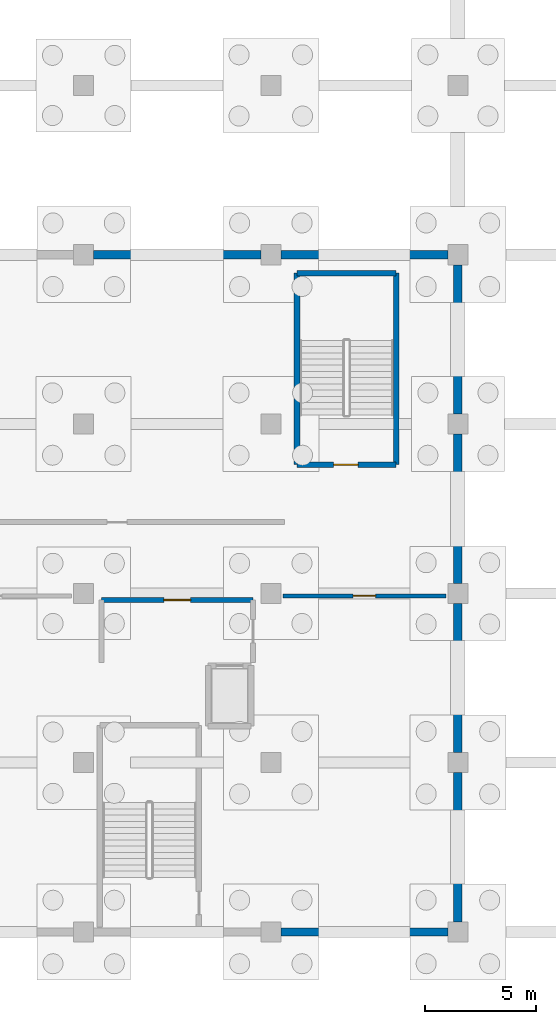
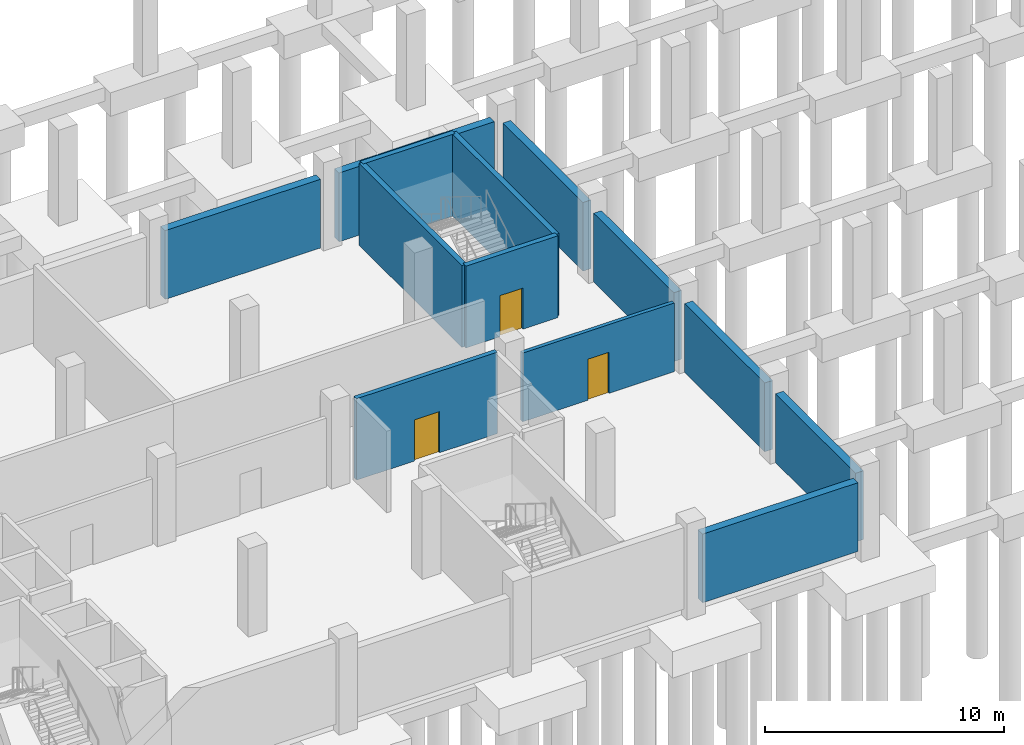
# One storey, part 15 of 22: 13 walls, 3 doors, 3 openings.
"""IFC4 building model written with IfcOpenShell, lengths in metres."""

import ifcopenshell
import ifcopenshell.guid

model = None  # the IFC model being written
_history = None  # IfcOwnerHistory: only IFC2X3 demands one
_inside = {}  # id of a spatial element -> (the spatial element, [elements in it])
_under = {}  # id of a project, library or spatial element -> (it, [spatial elements below it])
_declared = {}  # id of a project -> (the project, [libraries it declares])
_typed = {}  # id of a type object -> (the type object, [elements of that type])
_made_of = {}  # id of a material, layer set ... -> (it, [elements and type objects made of it])


def new_model(schema):
    """Start an empty IFC model of exactly this schema.

    Asked for "IFC4X3", IfcOpenShell would pick the latest addendum, in which some entities
    have other attributes; the version numbers below select the first issue.
    IFC2X3 requires an IfcOwnerHistory on every rooted entity: one is made here for all.
    """
    global model, _history
    if schema == "IFC4X3":
        model = ifcopenshell.file(schema_version=(4, 3, 0, 0))
    else:
        model = ifcopenshell.file(schema=schema)
    _inside.clear()
    _under.clear()
    _declared.clear()
    _typed.clear()
    _made_of.clear()
    _history = None
    if model.schema == "IFC2X3":
        org = make("IfcOrganization", Name="unknown")
        user = make(
            "IfcPersonAndOrganization",
            ThePerson=make("IfcPerson", FamilyName="unknown"),
            TheOrganization=org,
        )
        app = make(
            "IfcApplication",
            ApplicationDeveloper=org,
            Version="unknown",
            ApplicationFullName="unknown",
            ApplicationIdentifier="unknown",
        )
        _history = make(
            "IfcOwnerHistory",
            OwningUser=user,
            OwningApplication=app,
            ChangeAction="ADDED",
            CreationDate=0,
        )
    return model


def make(cls, **values):
    """One entity of the class cls with the attributes given. An attribute that is None is left unset."""
    return model.create_entity(
        cls, **{name: value for name, value in values.items() if value is not None}
    )


def rooted(cls, **values):
    """An entity with a GlobalId (a new one), such as an element, a storey or a relation."""
    return make(cls, GlobalId=ifcopenshell.guid.new(), OwnerHistory=_history, **values)


def si_unit(unit_type, name, prefix=None):
    """IfcSIUnit, for example si_unit("LENGTHUNIT", "METRE", prefix="MILLI")."""
    return make("IfcSIUnit", UnitType=unit_type, Prefix=prefix, Name=name)


def assignment(units):
    """IfcUnitAssignment: the units of a project."""
    return None if units is None else make("IfcUnitAssignment", Units=units)


def point(xyz):
    """IfcCartesianPoint."""
    return None if xyz is None else make("IfcCartesianPoint", Coordinates=xyz)


def direction(xyz):
    """IfcDirection."""
    return None if xyz is None else make("IfcDirection", DirectionRatios=xyz)


def frame(location, z_axis=None, x_axis=None):
    """IfcAxis2Placement3D, a coordinate frame: its origin and axes. An axis left out is left unset."""
    return make(
        "IfcAxis2Placement3D",
        Location=point(location),
        Axis=direction(z_axis),
        RefDirection=direction(x_axis),
    )


def frame_2d(location, x_axis=None):
    """IfcAxis2Placement2D, a coordinate frame in the plane: its origin and x axis."""
    return make(
        "IfcAxis2Placement2D", Location=point(location), RefDirection=direction(x_axis)
    )


def origin():
    """The frame at (0, 0, 0) with its axes left unset."""
    return frame((0.0, 0.0, 0.0))


def place(relative_to, where):
    """IfcLocalPlacement: puts the frame where relative to a parent placement (None: the world)."""
    return make(
        "IfcLocalPlacement", PlacementRelTo=relative_to, RelativePlacement=where
    )


def context(
    kind, dimensions, precision=None, world=None, true_north=None, identifier=None
):
    """IfcGeometricRepresentationContext, for example the 3D "Model" context."""
    return make(
        "IfcGeometricRepresentationContext",
        ContextIdentifier=identifier,
        ContextType=kind,
        CoordinateSpaceDimension=dimensions,
        Precision=precision,
        WorldCoordinateSystem=world,
        TrueNorth=true_north,
    )


def subcontext(parent, identifier, kind, view, scale=None):
    """IfcGeometricRepresentationSubContext, for example "Body" below "Model"."""
    return make(
        "IfcGeometricRepresentationSubContext",
        ContextIdentifier=identifier,
        ContextType=kind,
        ParentContext=parent,
        TargetScale=scale,
        TargetView=view,
    )


def project(units=None, contexts=None):
    """IfcProject with its units and contexts."""
    return rooted(
        "IfcProject",
        Name="project",
        RepresentationContexts=contexts,
        UnitsInContext=assignment(units),
    )


def spatial(cls, under=None, at=None, **own):
    """A site, building, storey or space (cls), placed at a placement, below another one or the project."""
    s = rooted(cls, ObjectPlacement=at, **own)
    if under is not None:
        _under.setdefault(under.id(), (under, []))[1].append(s)
    return s


def profile(cls, at=None, kind="AREA", **sizes):
    """A parametric profile (cls). Its sizes go by their IFC names, for example OverallWidth=200.0."""
    return make(cls, ProfileType=kind, Position=at, **sizes)


def rectangle(**sizes):
    """IfcRectangleProfileDef."""
    return profile("IfcRectangleProfileDef", **sizes)


def extrude(swept, where, along, depth):
    """IfcExtrudedAreaSolid: the profile swept, set in the frame where, extruded along a direction by depth."""
    return make(
        "IfcExtrudedAreaSolid",
        SweptArea=swept,
        Position=where,
        ExtrudedDirection=direction(along),
        Depth=depth,
    )


def shape(context_of_items, identifier, shape_type, items):
    """IfcShapeRepresentation: the items that make up one representation, for example the "Body"."""
    return make(
        "IfcShapeRepresentation",
        ContextOfItems=context_of_items,
        RepresentationIdentifier=identifier,
        RepresentationType=shape_type,
        Items=items,
    )


def material(Name=None, Category=None):
    """IfcMaterial."""
    return make("IfcMaterial", Name=Name, Category=Category)


def layer(
    of_material, thickness, ventilated=None, Name=None, Category=None, Priority=None
):
    """IfcMaterialLayer: one layer of a wall or slab, of a material (None: an air gap)."""
    return make(
        "IfcMaterialLayer",
        Material=of_material,
        LayerThickness=thickness,
        IsVentilated=ventilated,
        Name=Name,
        Category=Category,
        Priority=Priority,
    )


def layer_set(layers, Name=None):
    """IfcMaterialLayerSet."""
    return make("IfcMaterialLayerSet", MaterialLayers=layers, LayerSetName=Name)


def made_of(thing, what):
    """Note that an element or type object is made of a material, layer set ...; save() writes the relation."""
    if what is not None:
        _made_of.setdefault(what.id(), (what, []))[1].append(thing)
    return thing


def type_object(cls, material=None, **own):
    """A type object (cls), such as IfcWallType, which elements share."""
    return made_of(rooted(cls, **own), material)


def element(
    cls,
    number,
    at=None,
    inside=None,
    cuts=None,
    type_object=None,
    material=None,
    context=None,
    identifier="Body",
    shape_type=None,
    held_by="IfcProductDefinitionShape",
    body=None,
    shapes=None,
    **own,
):
    """One element of the class cls, such as IfcWall. Its Tag is "e" and its number.

    at: its placement. inside: the storey or other place that contains it. cuts: it is an
    opening in that element (IfcRelVoidsElement). A single representation is given by context,
    identifier, shape_type and body (its items); several are given by shapes. held_by: the class
    of the entity that holds the representations. save() writes the other relations.
    """
    e = rooted(cls, Tag="e%d" % number, ObjectPlacement=at, **own)
    if body is not None:
        shapes = [shape(context, identifier, shape_type, body)]
    if shapes is not None:
        e.Representation = make(held_by, Representations=shapes)
    if inside is not None:
        _inside.setdefault(inside.id(), (inside, []))[1].append(e)
    if cuts is not None:
        rooted(
            "IfcRelVoidsElement", RelatingBuildingElement=cuts, RelatedOpeningElement=e
        )
    if type_object is not None:
        _typed.setdefault(type_object.id(), (type_object, []))[1].append(e)
    return made_of(e, material)


def fill(opening, filler):
    """IfcRelFillsElement: the door or window that sits in an opening."""
    return rooted(
        "IfcRelFillsElement",
        RelatingOpeningElement=opening,
        RelatedBuildingElement=filler,
    )


def aggregate(whole, parts):
    """IfcRelAggregates: a whole, such as a stair, and the parts it consists of."""
    return rooted("IfcRelAggregates", RelatingObject=whole, RelatedObjects=parts)


def save(model, path):
    """Write the relations noted so far, then the file.

    IfcRelAggregates (storeys below a building ...), IfcRelContainedInSpatialStructure (elements
    in a storey), IfcRelDefinesByType, IfcRelAssociatesMaterial and IfcRelDeclares: one each for
    every whole, place, type object, material and project.
    """
    for whole, parts in _under.values():
        aggregate(whole, parts)
    for where, things in _inside.values():
        rooted(
            "IfcRelContainedInSpatialStructure",
            RelatedElements=things,
            RelatingStructure=where,
        )
    for kind, things in _typed.values():
        rooted("IfcRelDefinesByType", RelatedObjects=things, RelatingType=kind)
    for what, things in _made_of.values():
        rooted("IfcRelAssociatesMaterial", RelatedObjects=things, RelatingMaterial=what)
    for by, libraries in _declared.values():
        rooted("IfcRelDeclares", RelatingContext=by, RelatedDefinitions=libraries)
    model.write(path)


model = new_model("IFC4")

# Units and contexts
model_context = context("Model", 3, precision=1e-05, world=origin(), true_north=direction((0.0, 1.0)))
body_context = subcontext(model_context, "Body", "Model", "MODEL_VIEW")
ifc_project = project(units=[si_unit("LENGTHUNIT", "METRE"), si_unit("AREAUNIT", "SQUARE_METRE"), si_unit("VOLUMEUNIT", "CUBIC_METRE"), si_unit("PLANEANGLEUNIT", "RADIAN"), si_unit("MASSUNIT", "GRAM", prefix="KILO")], contexts=[model_context])

# Site, building, storey
site_placement = place(None, origin())
site = spatial("IfcSite", under=ifc_project, at=site_placement, CompositionType="ELEMENT")
building_placement = place(site_placement, origin())
building = spatial("IfcBuilding", under=site, at=building_placement, Name="Zuvorla Pavilion Media Centre", CompositionType="ELEMENT")
storey_placement = place(building_placement, frame((0.0, 0.0, -4.5)))
storey = spatial("IfcBuildingStorey", under=building, at=storey_placement, Name="B01", CompositionType="ELEMENT", Elevation=-4.5)

# Wall, opening, door
ifc_material_1 = material(Name="Acoustic masonry blockwork C32/40", Category="masonry")
ifc_layer_1 = layer(ifc_material_1, 0.219970703125)
ifc_layer_set_1 = layer_set([ifc_layer_1], Name="Acoustic masonry blockwork C32/40")
wall_type_1 = type_object("IfcWallType", Name="WL-CMP-220", PredefinedType="SOLIDWALL", material=ifc_layer_set_1)
wall_1_placement = place(storey_placement, frame((92.800048828125, 20.89990234375, 0.0), z_axis=(0.0, 0.0, 1.0), x_axis=(1.0, 0.0, 0.0)))
wall_1 = element("IfcWall", 1, at=wall_1_placement, inside=storey, type_object=wall_type_1, Name="B01 solid wall IW22 160", PredefinedType="SOLIDWALL", context=body_context, shape_type="SweptSolid", body=[
    extrude(rectangle(XDim=6.800048828125, YDim=0.219970703125, at=frame_2d((3.39990234375, 0.0))), origin(), (0.0, 0.0, 1.0), 4.159912109375),
])
opening_1_placement = place(wall_1_placement, frame((2.800048828125, 0.0, 0.0)))
opening_1 = element("IfcOpeningElement", 2, at=opening_1_placement, cuts=wall_1, Name="Opening FD06", PredefinedType="OPENING", context=body_context, shape_type="SweptSolid", body=[
    extrude(rectangle(XDim=1.199951171875, YDim=2.10009765625, at=frame_2d((0.60009765625, 1.050048828125))), frame((0.0, 0.119873046875, 0.0), z_axis=(0.0, -1.0, 0.0), x_axis=(1.0, 0.0, 0.0)), (0.0, 0.0, 1.0), 0.239990234375),
])
ifc_material_2 = material(Name="Acoustic timber fire door leaf in steel frame", Category="steel")
door_type_1 = type_object("IfcDoorType", Name="DR-INT-FD06", OperationType="NOTDEFINED", PredefinedType="DOOR", material=ifc_material_2)
door_1_placement = place(opening_1_placement, origin())
door_1 = element("IfcDoor", 3, at=door_1_placement, inside=storey, type_object=door_type_1, Name="Firefighting lobby 2 door FD06 58", OperationType="SINGLE_SWING_LEFT", OverallHeight=2.10009765625, OverallWidth=1.199951171875, PredefinedType="DOOR", context=body_context, shape_type="SweptSolid", body=[
    extrude(rectangle(XDim=1.199951171875, YDim=2.10009765625, at=frame_2d((0.60009765625, 1.050048828125))), frame((0.0, 0.02490234375, 0.0), z_axis=(0.0, -1.0, 0.0), x_axis=(1.0, 0.0, 0.0)), (0.0, 0.0, 1.0), 0.050048828125),
])
fill(opening_1, door_1)

# Walls
ifc_material_3 = material(Name="Concrete C40/50", Category="concrete")
ifc_layer_2 = layer(ifc_material_3, 0.25)
ifc_layer_set_2 = layer_set([ifc_layer_2], Name="Concrete C40/50")
wall_type_2 = type_object("IfcWallType", Name="WL-COR-250", PredefinedType="SHEAR", material=ifc_layer_set_2)
for number, where, z_axis, x_axis, name in (
    (4, (101.574951171875, 26.97509765625, 0.0), (0.0, 0.0, 1.0), (0.0, 1.0, 0.0), "B01 shear wall CW25 301"),
    (5, (106.02490234375, 26.97509765625, 0.0), (0.0, 0.0, 1.0), (0.0, 1.0, 0.0), "B01 shear wall CW25 302"),
):
    element("IfcWall", number, at=place(storey_placement, frame(where, z_axis=z_axis, x_axis=x_axis)), inside=storey, type_object=wall_type_2, Name=name, PredefinedType="SHEAR", context=body_context, shape_type="SweptSolid", body=[
        extrude(rectangle(XDim=8.599853515625, YDim=0.25, at=frame_2d((4.2998046875, 0.0))), origin(), (0.0, 0.0, 1.0), 4.179931640625),
    ])
wall_2_placement = place(storey_placement, frame((101.574951171875, 35.574951171875, 0.0), z_axis=(0.0, 0.0, 1.0), x_axis=(1.0, 0.0, 0.0)))
element("IfcWall", 6, at=wall_2_placement, inside=storey, type_object=wall_type_2, Name="B01 shear wall CW25 303", PredefinedType="SHEAR", context=body_context, shape_type="SweptSolid", body=[
    extrude(rectangle(XDim=4.449951171875, YDim=0.25, at=frame_2d((2.22509765625, 0.0))), origin(), (0.0, 0.0, 1.0), 4.179931640625),
])

# Wall, opening, door
wall_3_placement = place(storey_placement, frame((101.574951171875, 26.97509765625, 0.0), z_axis=(0.0, 0.0, 1.0), x_axis=(1.0, 0.0, 0.0)))
wall_3 = element("IfcWall", 7, at=wall_3_placement, inside=storey, type_object=wall_type_2, Name="B01 shear wall CW25 304", PredefinedType="SHEAR", context=body_context, shape_type="SweptSolid", body=[
    extrude(rectangle(XDim=4.449951171875, YDim=0.25, at=frame_2d((2.22509765625, 0.0))), origin(), (0.0, 0.0, 1.0), 4.179931640625),
])
opening_2_placement = place(wall_3_placement, frame((1.64990234375, 0.0, 0.0)))
opening_2 = element("IfcOpeningElement", 8, at=opening_2_placement, cuts=wall_3, Name="Opening FD05", PredefinedType="OPENING", context=body_context, shape_type="SweptSolid", body=[
    extrude(rectangle(XDim=1.10009765625, YDim=2.10009765625, at=frame_2d((0.550048828125, 1.050048828125))), frame((0.0, 0.135009765625, 0.0), z_axis=(0.0, -1.0, 0.0), x_axis=(1.0, 0.0, 0.0)), (0.0, 0.0, 1.0), 0.27001953125),
])
door_type_2 = type_object("IfcDoorType", Name="DR-INT-FD05", OperationType="NOTDEFINED", PredefinedType="DOOR", material=ifc_material_2)
door_2_placement = place(opening_2_placement, frame((1.10009765625, 0.0, 0.0), z_axis=(0.0, 0.0, 1.0), x_axis=(-1.0, 0.0, 0.0)))
door_2 = element("IfcDoor", 9, at=door_2_placement, inside=storey, type_object=door_type_2, Name="Stair ST-04 fire door FD05 105", OperationType="SINGLE_SWING_RIGHT", OverallHeight=2.10009765625, OverallWidth=1.10009765625, PredefinedType="DOOR", context=body_context, shape_type="SweptSolid", body=[
    extrude(rectangle(XDim=1.10009765625, YDim=2.10009765625, at=frame_2d((0.550048828125, 1.050048828125))), frame((0.0, 0.02490234375, 0.0), z_axis=(0.0, -1.0, 0.0), x_axis=(1.0, 0.0, 0.0)), (0.0, 0.0, 1.0), 0.050048828125),
])
fill(opening_2, door_2)

# Walls
ifc_material_4 = material(Name="Dark charcoal terracotta concrete C40/50", Category="masonry")
ifc_layer_3 = layer(ifc_material_4, 0.3798828125)
ifc_layer_set_3 = layer_set([ifc_layer_3], Name="Dark charcoal terracotta concrete C40/50")
wall_type_3 = type_object("IfcWallType", Name="WL-EXT-380", PredefinedType="SOLIDWALL", material=ifc_layer_set_3)
wall_4_placement = place(storey_placement, frame((100.85009765625, 6.0, 0.0), z_axis=(0.0, 0.0, 1.0), x_axis=(1.0, 0.0, 0.0)))
element("IfcWall", 10, at=wall_4_placement, inside=storey, type_object=wall_type_3, Name="B01 exterior solid wall EW01 8", PredefinedType="SOLIDWALL", context=body_context, shape_type="SweptSolid", body=[
    extrude(rectangle(XDim=7.5, YDim=0.3798828125, at=frame_2d((3.75, 0.0))), origin(), (0.0, 0.0, 1.0), 3.51025390625),
])
for number, where, z_axis, x_axis, name in (
    (11, (108.800048828125, 6.449951171875, 0.0), (0.0, 0.0, 1.0), (0.0, 1.0, 0.0), "B01 exterior solid wall EW01 9"),
    (12, (108.800048828125, 14.050048828125, 0.0), (0.0, 0.0, 1.0), (0.0, 1.0, 0.0), "B01 exterior solid wall EW01 10"),
):
    element("IfcWall", number, at=place(storey_placement, frame(where, z_axis=z_axis, x_axis=x_axis)), inside=storey, type_object=wall_type_3, Name=name, PredefinedType="SOLIDWALL", context=body_context, shape_type="SweptSolid", body=[
        extrude(rectangle(XDim=6.699951171875, YDim=0.3798828125, at=frame_2d((3.35009765625, 0.0))), origin(), (0.0, 0.0, 1.0), 3.51025390625),
    ])
wall_5_placement = place(storey_placement, frame((108.800048828125, 21.64990234375, 0.0), z_axis=(0.0, 0.0, 1.0), x_axis=(0.0, 1.0, 0.0)))
element("IfcWall", 13, at=wall_5_placement, inside=storey, type_object=wall_type_3, Name="B01 exterior solid wall EW01 11", PredefinedType="SOLIDWALL", context=body_context, shape_type="SweptSolid", body=[
    extrude(rectangle(XDim=6.7001953125, YDim=0.3798828125, at=frame_2d((3.35009765625, 0.0))), origin(), (0.0, 0.0, 1.0), 3.51025390625),
])
wall_6_placement = place(storey_placement, frame((108.800048828125, 29.25, 0.0), z_axis=(0.0, 0.0, 1.0), x_axis=(0.0, 1.0, 0.0)))
element("IfcWall", 14, at=wall_6_placement, inside=storey, type_object=wall_type_3, Name="B01 exterior solid wall EW01 12", PredefinedType="SOLIDWALL", context=body_context, shape_type="SweptSolid", body=[
    extrude(rectangle(XDim=6.699951171875, YDim=0.3798828125, at=frame_2d((3.35009765625, 0.0))), origin(), (0.0, 0.0, 1.0), 3.51025390625),
])
for number, where, z_axis, x_axis, name in (
    (15, (108.35009765625, 36.39990234375, 0.0), (0.0, 0.0, 1.0), (-1.0, 0.0, 0.0), "B01 exterior solid wall EW01 13"),
    (16, (99.949951171875, 36.39990234375, 0.0), (0.0, 0.0, 1.0), (-1.0, 0.0, 0.0), "B01 exterior solid wall EW01 14"),
):
    element("IfcWall", number, at=place(storey_placement, frame(where, z_axis=z_axis, x_axis=x_axis)), inside=storey, type_object=wall_type_3, Name=name, PredefinedType="SOLIDWALL", context=body_context, shape_type="SweptSolid", body=[
        extrude(rectangle(XDim=7.5, YDim=0.3798828125, at=frame_2d((3.75, 0.0))), origin(), (0.0, 0.0, 1.0), 3.51025390625),
    ])

# Wall, opening, door
ifc_material_5 = material(Name="Double acoustic gypsum stud partition")
ifc_layer_4 = layer(ifc_material_5, 0.179931640625)
ifc_layer_set_4 = layer_set([ifc_layer_4], Name="Double acoustic gypsum stud partition")
wall_type_4 = type_object("IfcWallType", Name="WL-PRT-180", PredefinedType="PARTITIONING", material=ifc_layer_set_4)
wall_7_placement = place(storey_placement, frame((108.260009765625, 21.090087890625, 0.0), z_axis=(0.0, 0.0, 1.0), x_axis=(-1.0, 0.0, 0.0)))
wall_7 = element("IfcWall", 17, at=wall_7_placement, inside=storey, type_object=wall_type_4, Name="B01 partition PT18 371", PredefinedType="PARTITIONING", context=body_context, shape_type="SweptSolid", body=[
    extrude(rectangle(XDim=7.320068359375, YDim=0.179931640625, at=frame_2d((3.66015625, 0.0))), origin(), (0.0, 0.0, 1.0), 3.51025390625),
])
opening_3_placement = place(wall_7_placement, frame((3.159912109375, 0.0, 0.0)))
opening_3 = element("IfcOpeningElement", 18, at=opening_3_placement, cuts=wall_7, Name="Opening FD03", PredefinedType="OPENING", context=body_context, shape_type="SweptSolid", body=[
    extrude(rectangle(XDim=1.0, YDim=2.10009765625, at=frame_2d((0.5, 1.050048828125))), frame((0.0, 0.099853515625, 0.0), z_axis=(0.0, -1.0, 0.0), x_axis=(1.0, 0.0, 0.0)), (0.0, 0.0, 1.0), 0.199951171875),
])
door_type_3 = type_object("IfcDoorType", Name="DR-INT-FD03", OperationType="NOTDEFINED", PredefinedType="DOOR", material=ifc_material_2)
door_3_placement = place(opening_3_placement, origin())
door_3 = element("IfcDoor", 19, at=door_3_placement, inside=storey, type_object=door_type_3, Name="Interior door FD03 119", OperationType="SINGLE_SWING_LEFT", OverallHeight=2.10009765625, OverallWidth=1.0, PredefinedType="DOOR", context=body_context, shape_type="SweptSolid", body=[
    extrude(rectangle(XDim=1.0, YDim=2.10009765625, at=frame_2d((0.5, 1.050048828125))), frame((0.0, 0.02490234375, 0.0), z_axis=(0.0, -1.0, 0.0), x_axis=(1.0, 0.0, 0.0)), (0.0, 0.0, 1.0), 0.050048828125),
])
fill(opening_3, door_3)

save(model, "model.ifc")
